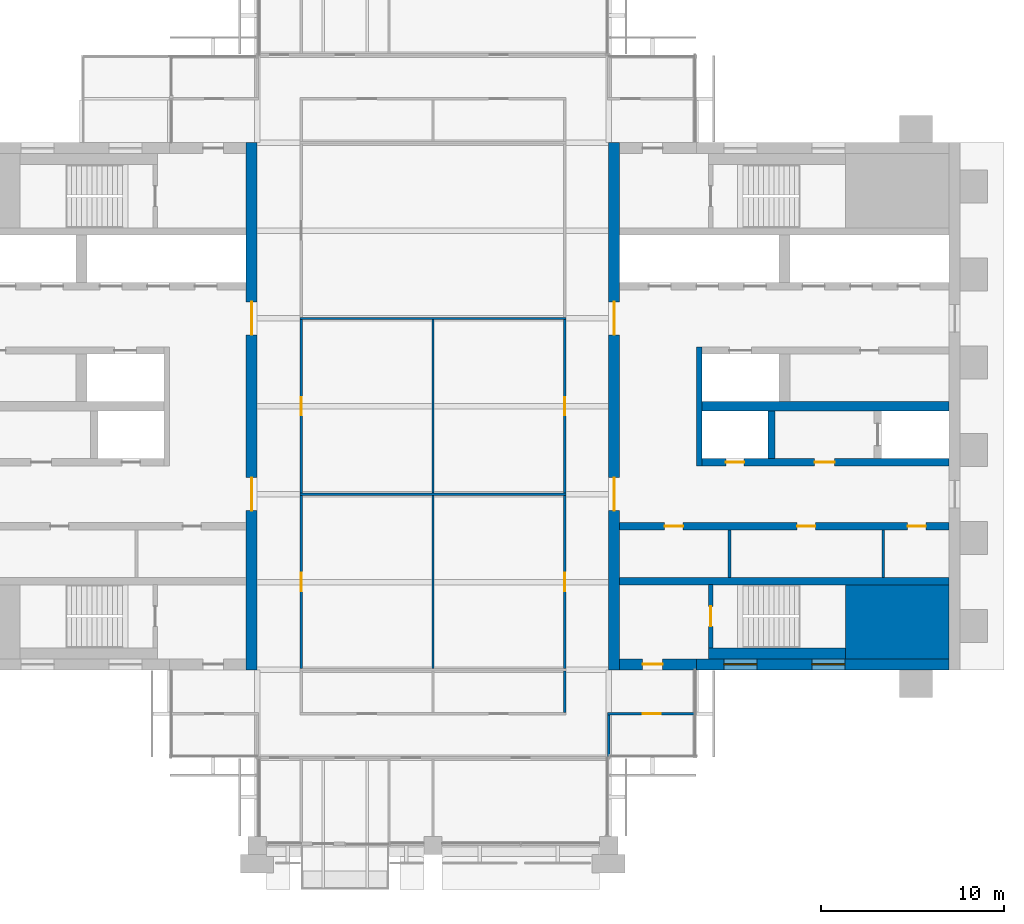
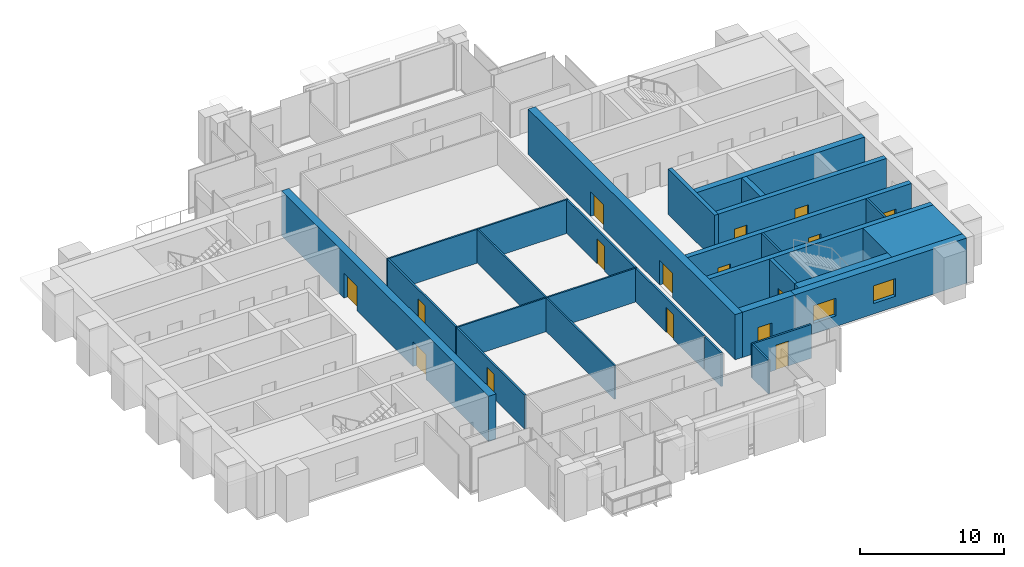
# One storey, part 9 of 14: 26 walls, 16 doors, 2 windows, 18 openings.
"""IFC4 building model written with IfcOpenShell, lengths in metres."""

import ifcopenshell
import ifcopenshell.guid

model = None  # the IFC model being written
_history = None  # IfcOwnerHistory: only IFC2X3 demands one
_inside = {}  # id of a spatial element -> (the spatial element, [elements in it])
_under = {}  # id of a project, library or spatial element -> (it, [spatial elements below it])
_declared = {}  # id of a project -> (the project, [libraries it declares])
_typed = {}  # id of a type object -> (the type object, [elements of that type])
_made_of = {}  # id of a material, layer set ... -> (it, [elements and type objects made of it])


def new_model(schema):
    """Start an empty IFC model of exactly this schema.

    Asked for "IFC4X3", IfcOpenShell would pick the latest addendum, in which some entities
    have other attributes; the version numbers below select the first issue.
    IFC2X3 requires an IfcOwnerHistory on every rooted entity: one is made here for all.
    """
    global model, _history
    if schema == "IFC4X3":
        model = ifcopenshell.file(schema_version=(4, 3, 0, 0))
    else:
        model = ifcopenshell.file(schema=schema)
    _inside.clear()
    _under.clear()
    _declared.clear()
    _typed.clear()
    _made_of.clear()
    _history = None
    if model.schema == "IFC2X3":
        org = make("IfcOrganization", Name="unknown")
        user = make(
            "IfcPersonAndOrganization",
            ThePerson=make("IfcPerson", FamilyName="unknown"),
            TheOrganization=org,
        )
        app = make(
            "IfcApplication",
            ApplicationDeveloper=org,
            Version="unknown",
            ApplicationFullName="unknown",
            ApplicationIdentifier="unknown",
        )
        _history = make(
            "IfcOwnerHistory",
            OwningUser=user,
            OwningApplication=app,
            ChangeAction="ADDED",
            CreationDate=0,
        )
    return model


def make(cls, **values):
    """One entity of the class cls with the attributes given. An attribute that is None is left unset."""
    return model.create_entity(
        cls, **{name: value for name, value in values.items() if value is not None}
    )


def rooted(cls, **values):
    """An entity with a GlobalId (a new one), such as an element, a storey or a relation."""
    return make(cls, GlobalId=ifcopenshell.guid.new(), OwnerHistory=_history, **values)


def si_unit(unit_type, name, prefix=None):
    """IfcSIUnit, for example si_unit("LENGTHUNIT", "METRE", prefix="MILLI")."""
    return make("IfcSIUnit", UnitType=unit_type, Prefix=prefix, Name=name)


def assignment(units):
    """IfcUnitAssignment: the units of a project."""
    return None if units is None else make("IfcUnitAssignment", Units=units)


def point(xyz):
    """IfcCartesianPoint."""
    return None if xyz is None else make("IfcCartesianPoint", Coordinates=xyz)


def direction(xyz):
    """IfcDirection."""
    return None if xyz is None else make("IfcDirection", DirectionRatios=xyz)


def frame(location, z_axis=None, x_axis=None):
    """IfcAxis2Placement3D, a coordinate frame: its origin and axes. An axis left out is left unset."""
    return make(
        "IfcAxis2Placement3D",
        Location=point(location),
        Axis=direction(z_axis),
        RefDirection=direction(x_axis),
    )


def frame_2d(location, x_axis=None):
    """IfcAxis2Placement2D, a coordinate frame in the plane: its origin and x axis."""
    return make(
        "IfcAxis2Placement2D", Location=point(location), RefDirection=direction(x_axis)
    )


def origin():
    """The frame at (0, 0, 0) with its axes left unset."""
    return frame((0.0, 0.0, 0.0))


def place(relative_to, where):
    """IfcLocalPlacement: puts the frame where relative to a parent placement (None: the world)."""
    return make(
        "IfcLocalPlacement", PlacementRelTo=relative_to, RelativePlacement=where
    )


def context(
    kind, dimensions, precision=None, world=None, true_north=None, identifier=None
):
    """IfcGeometricRepresentationContext, for example the 3D "Model" context."""
    return make(
        "IfcGeometricRepresentationContext",
        ContextIdentifier=identifier,
        ContextType=kind,
        CoordinateSpaceDimension=dimensions,
        Precision=precision,
        WorldCoordinateSystem=world,
        TrueNorth=true_north,
    )


def subcontext(parent, identifier, kind, view, scale=None):
    """IfcGeometricRepresentationSubContext, for example "Body" below "Model"."""
    return make(
        "IfcGeometricRepresentationSubContext",
        ContextIdentifier=identifier,
        ContextType=kind,
        ParentContext=parent,
        TargetScale=scale,
        TargetView=view,
    )


def project(units=None, contexts=None):
    """IfcProject with its units and contexts."""
    return rooted(
        "IfcProject",
        Name="project",
        RepresentationContexts=contexts,
        UnitsInContext=assignment(units),
    )


def spatial(cls, under=None, at=None, **own):
    """A site, building, storey or space (cls), placed at a placement, below another one or the project."""
    s = rooted(cls, ObjectPlacement=at, **own)
    if under is not None:
        _under.setdefault(under.id(), (under, []))[1].append(s)
    return s


def profile(cls, at=None, kind="AREA", **sizes):
    """A parametric profile (cls). Its sizes go by their IFC names, for example OverallWidth=200.0."""
    return make(cls, ProfileType=kind, Position=at, **sizes)


def rectangle(**sizes):
    """IfcRectangleProfileDef."""
    return profile("IfcRectangleProfileDef", **sizes)


def extrude(swept, where, along, depth):
    """IfcExtrudedAreaSolid: the profile swept, set in the frame where, extruded along a direction by depth."""
    return make(
        "IfcExtrudedAreaSolid",
        SweptArea=swept,
        Position=where,
        ExtrudedDirection=direction(along),
        Depth=depth,
    )


def shape(context_of_items, identifier, shape_type, items):
    """IfcShapeRepresentation: the items that make up one representation, for example the "Body"."""
    return make(
        "IfcShapeRepresentation",
        ContextOfItems=context_of_items,
        RepresentationIdentifier=identifier,
        RepresentationType=shape_type,
        Items=items,
    )


def material(Name=None, Category=None):
    """IfcMaterial."""
    return make("IfcMaterial", Name=Name, Category=Category)


def layer(
    of_material, thickness, ventilated=None, Name=None, Category=None, Priority=None
):
    """IfcMaterialLayer: one layer of a wall or slab, of a material (None: an air gap)."""
    return make(
        "IfcMaterialLayer",
        Material=of_material,
        LayerThickness=thickness,
        IsVentilated=ventilated,
        Name=Name,
        Category=Category,
        Priority=Priority,
    )


def layer_set(layers, Name=None):
    """IfcMaterialLayerSet."""
    return make("IfcMaterialLayerSet", MaterialLayers=layers, LayerSetName=Name)


def made_of(thing, what):
    """Note that an element or type object is made of a material, layer set ...; save() writes the relation."""
    if what is not None:
        _made_of.setdefault(what.id(), (what, []))[1].append(thing)
    return thing


def type_object(cls, material=None, **own):
    """A type object (cls), such as IfcWallType, which elements share."""
    return made_of(rooted(cls, **own), material)


def element(
    cls,
    number,
    at=None,
    inside=None,
    cuts=None,
    type_object=None,
    material=None,
    context=None,
    identifier="Body",
    shape_type=None,
    held_by="IfcProductDefinitionShape",
    body=None,
    shapes=None,
    **own,
):
    """One element of the class cls, such as IfcWall. Its Tag is "e" and its number.

    at: its placement. inside: the storey or other place that contains it. cuts: it is an
    opening in that element (IfcRelVoidsElement). A single representation is given by context,
    identifier, shape_type and body (its items); several are given by shapes. held_by: the class
    of the entity that holds the representations. save() writes the other relations.
    """
    e = rooted(cls, Tag="e%d" % number, ObjectPlacement=at, **own)
    if body is not None:
        shapes = [shape(context, identifier, shape_type, body)]
    if shapes is not None:
        e.Representation = make(held_by, Representations=shapes)
    if inside is not None:
        _inside.setdefault(inside.id(), (inside, []))[1].append(e)
    if cuts is not None:
        rooted(
            "IfcRelVoidsElement", RelatingBuildingElement=cuts, RelatedOpeningElement=e
        )
    if type_object is not None:
        _typed.setdefault(type_object.id(), (type_object, []))[1].append(e)
    return made_of(e, material)


def fill(opening, filler):
    """IfcRelFillsElement: the door or window that sits in an opening."""
    return rooted(
        "IfcRelFillsElement",
        RelatingOpeningElement=opening,
        RelatedBuildingElement=filler,
    )


def aggregate(whole, parts):
    """IfcRelAggregates: a whole, such as a stair, and the parts it consists of."""
    return rooted("IfcRelAggregates", RelatingObject=whole, RelatedObjects=parts)


def save(model, path):
    """Write the relations noted so far, then the file.

    IfcRelAggregates (storeys below a building ...), IfcRelContainedInSpatialStructure (elements
    in a storey), IfcRelDefinesByType, IfcRelAssociatesMaterial and IfcRelDeclares: one each for
    every whole, place, type object, material and project.
    """
    for whole, parts in _under.values():
        aggregate(whole, parts)
    for where, things in _inside.values():
        rooted(
            "IfcRelContainedInSpatialStructure",
            RelatedElements=things,
            RelatingStructure=where,
        )
    for kind, things in _typed.values():
        rooted("IfcRelDefinesByType", RelatedObjects=things, RelatingType=kind)
    for what, things in _made_of.values():
        rooted("IfcRelAssociatesMaterial", RelatedObjects=things, RelatingMaterial=what)
    for by, libraries in _declared.values():
        rooted("IfcRelDeclares", RelatingContext=by, RelatedDefinitions=libraries)
    model.write(path)


model = new_model("IFC4")

# Units and contexts
model_context = context("Model", 3, precision=1e-05, world=origin(), true_north=direction((0.0, 1.0)))
body_context = subcontext(model_context, "Body", "Model", "MODEL_VIEW")
ifc_project = project(units=[si_unit("LENGTHUNIT", "METRE"), si_unit("AREAUNIT", "SQUARE_METRE"), si_unit("VOLUMEUNIT", "CUBIC_METRE"), si_unit("PLANEANGLEUNIT", "RADIAN"), si_unit("MASSUNIT", "GRAM", prefix="KILO")], contexts=[model_context])

# Site, building, storey
site_placement = place(None, origin())
site = spatial("IfcSite", under=ifc_project, at=site_placement, CompositionType="ELEMENT")
building_placement = place(site_placement, origin())
building = spatial("IfcBuilding", under=site, at=building_placement, Name="Baori Bourse Tower", CompositionType="ELEMENT")
storey_placement = place(building_placement, frame((0.0, 0.0, 290.300048828125)))
storey = spatial("IfcBuildingStorey", under=building, at=storey_placement, Name="L63", CompositionType="ELEMENT", Elevation=290.300048828125)

# Walls
ifc_material_1 = material(Name="Concrete f'c 40 MPa", Category="concrete")
wall_type_1 = type_object("IfcWallType", Name="Core corner block f'c 40", PredefinedType="SHEAR", material=ifc_material_1)
wall_1_placement = place(storey_placement, frame((51.35009765625, 12.22509765625, 0.0), z_axis=(0.0, 0.0, 1.0), x_axis=(1.0, 0.0, 0.0)))
element("IfcWall", 1, at=wall_1_placement, inside=storey, type_object=wall_type_1, Name="Core wall E05", PredefinedType="SHEAR", context=body_context, shape_type="SweptSolid", body=[
    extrude(rectangle(XDim=5.64990234375, YDim=4.050048828125, at=frame_2d((2.824951171875, 0.0))), origin(), (0.0, 0.0, 1.0), 3.83984375),
])
ifc_material_2 = material(Name="Blockwork partition", Category="masonry")
ifc_layer_1 = layer(ifc_material_2, 0.14990234375)
ifc_layer_set_1 = layer_set([ifc_layer_1], Name="Core partition 150")
wall_type_2 = type_object("IfcWallType", Name="Core partition 150", PredefinedType="PARTITIONING", material=ifc_layer_set_1)
for number, where, z_axis, x_axis, name in (
    (2, (53.39990234375, 14.64990234375, 0.0), (0.0, 0.0, 1.0), (0.0, 1.0, 0.0), "Partition wall E09"),
    (3, (45.0, 14.64990234375, 0.0), (0.0, 0.0, 1.0), (0.0, 1.0, 0.0), "Partition wall E10"),
):
    element("IfcWall", number, at=place(storey_placement, frame(where, z_axis=z_axis, x_axis=x_axis)), inside=storey, type_object=wall_type_2, Name=name, PredefinedType="PARTITIONING", context=body_context, shape_type="SweptSolid", body=[
        extrude(rectangle(XDim=2.60009765625, YDim=0.14990234375, at=frame_2d((1.300048828125, 0.0))), origin(), (0.0, 0.0, 1.0), 3.83984375),
    ])

# Wall, openings, doors
ifc_material_3 = material(Name="Concrete f'c 40 MPa", Category="concrete")
ifc_layer_2 = layer(ifc_material_3, 0.60009765625)
ifc_layer_set_2 = layer_set([ifc_layer_2], Name="Core wall 600 f'c 40")
wall_type_3 = type_object("IfcWallType", Name="Core wall 600 f'c 40", PredefinedType="SHEAR", material=ifc_layer_set_2)
wall_2_placement = place(storey_placement, frame((18.89990234375, 38.39990234375, 0.0), z_axis=(0.0, 0.0, 1.0), x_axis=(0.0, -1.0, 0.0)))
wall_2 = element("IfcWall", 4, at=wall_2_placement, inside=storey, type_object=wall_type_3, Name="Core wall W04", PredefinedType="SHEAR", context=body_context, shape_type="SweptSolid", body=[
    extrude(rectangle(XDim=28.7998046875, YDim=0.60009765625, at=frame_2d((14.39990234375, 0.0))), origin(), (0.0, 0.0, 1.0), 3.83984375),
])
opening_1_placement = place(wall_2_placement, frame((18.300048828125, 0.0, 0.0)))
opening_1 = element("IfcOpeningElement", 5, at=opening_1_placement, cuts=wall_2, Name="Opening L63-D107", PredefinedType="OPENING", context=body_context, shape_type="SweptSolid", body=[
    extrude(rectangle(XDim=1.800048828125, YDim=2.10009765625, at=frame_2d((0.89990234375, 1.050048828125))), frame((0.0, 0.31005859375, 0.0), z_axis=(0.0, -1.0, 0.0), x_axis=(1.0, 0.0, 0.0)), (0.0, 0.0, 1.0), 0.6201171875),
])
opening_2_placement = place(wall_2_placement, frame((8.699951171875, 0.0, 0.0)))
opening_2 = element("IfcOpeningElement", 6, at=opening_2_placement, cuts=wall_2, Name="Opening L63-D108", PredefinedType="OPENING", context=body_context, shape_type="SweptSolid", body=[
    extrude(rectangle(XDim=1.800048828125, YDim=2.10009765625, at=frame_2d((0.89990234375, 1.050048828125))), frame((0.0, 0.31005859375, 0.0), z_axis=(0.0, -1.0, 0.0), x_axis=(1.0, 0.0, 0.0)), (0.0, 0.0, 1.0), 0.6201171875),
])
ifc_material_4 = material(Name="Painted steel door", Category="steel")
door_type_1 = type_object("IfcDoorType", Name="Core lobby door 1800", OperationType="DOUBLE_DOOR_SINGLE_SWING", PredefinedType="DOOR", material=ifc_material_4)
door_1_placement = place(opening_1_placement, origin())
door_1 = element("IfcDoor", 7, at=door_1_placement, inside=storey, type_object=door_type_1, Name="Lobby door W L63", OperationType="DOUBLE_DOOR_SINGLE_SWING", OverallHeight=2.10009765625, OverallWidth=1.800048828125, PredefinedType="DOOR", context=body_context, shape_type="SweptSolid", body=[
    extrude(rectangle(XDim=1.800048828125, YDim=2.10009765625, at=frame_2d((0.89990234375, 1.050048828125))), frame((0.0, 0.02490234375, 0.0), z_axis=(0.0, -1.0, 0.0), x_axis=(1.0, 0.0, 0.0)), (0.0, 0.0, 1.0), 0.050048828125),
])
fill(opening_1, door_1)
door_2_placement = place(opening_2_placement, origin())
door_2 = element("IfcDoor", 8, at=door_2_placement, inside=storey, type_object=door_type_1, Name="Lobby door W L63", OperationType="DOUBLE_DOOR_SINGLE_SWING", OverallHeight=2.10009765625, OverallWidth=1.800048828125, PredefinedType="DOOR", context=body_context, shape_type="SweptSolid", body=[
    extrude(rectangle(XDim=1.800048828125, YDim=2.10009765625, at=frame_2d((0.89990234375, 1.050048828125))), frame((0.0, 0.02490234375, 0.0), z_axis=(0.0, -1.0, 0.0), x_axis=(1.0, 0.0, 0.0)), (0.0, 0.0, 1.0), 0.050048828125),
])
fill(opening_2, door_2)

# Wall, openings, windows
wall_3_placement = place(storey_placement, frame((57.0, 9.89990234375, 0.0), z_axis=(0.0, 0.0, 1.0), x_axis=(-1.0, 0.0, 0.0)))
wall_3 = element("IfcWall", 9, at=wall_3_placement, inside=storey, type_object=wall_type_3, Name="Core wall E02", PredefinedType="SHEAR", context=body_context, shape_type="SweptSolid", body=[
    extrude(rectangle(XDim=13.800048828125, YDim=0.60009765625, at=frame_2d((6.89990234375, 0.0))), origin(), (0.0, 0.0, 1.0), 3.83984375),
])
opening_3_placement = place(wall_3_placement, frame((5.699951171875, 0.0, 0.89990234375)))
opening_3 = element("IfcOpeningElement", 10, at=opening_3_placement, cuts=wall_3, Name="Opening L63-KW203", PredefinedType="OPENING", context=body_context, shape_type="SweptSolid", body=[
    extrude(rectangle(XDim=1.800048828125, YDim=1.5, at=frame_2d((0.89990234375, 0.75))), frame((0.0, 0.31005859375, 0.0), z_axis=(0.0, -1.0, 0.0), x_axis=(1.0, 0.0, 0.0)), (0.0, 0.0, 1.0), 0.6201171875),
])
opening_4_placement = place(wall_3_placement, frame((10.5, 0.0, 0.89990234375)))
opening_4 = element("IfcOpeningElement", 11, at=opening_4_placement, cuts=wall_3, Name="Opening L63-KW204", PredefinedType="OPENING", context=body_context, shape_type="SweptSolid", body=[
    extrude(rectangle(XDim=1.800048828125, YDim=1.5, at=frame_2d((0.89990234375, 0.75))), frame((0.0, 0.31005859375, 0.0), z_axis=(0.0, -1.0, 0.0), x_axis=(1.0, 0.0, 0.0)), (0.0, 0.0, 1.0), 0.6201171875),
])
ifc_material_5 = material(Name="Pale anodised aluminium", Category="aluminium")
window_type = type_object("IfcWindowType", Name="Stair window 1800 x 1500", PartitioningType="SINGLE_PANEL", PredefinedType="WINDOW", material=ifc_material_5)
window_1_placement = place(opening_3_placement, origin())
window_1 = element("IfcWindow", 12, at=window_1_placement, inside=storey, type_object=window_type, Name="Stair window E L63 3", OverallHeight=1.5, OverallWidth=1.800048828125, PartitioningType="SINGLE_PANEL", PredefinedType="WINDOW", context=body_context, shape_type="SweptSolid", body=[
    extrude(rectangle(XDim=1.800048828125, YDim=1.5, at=frame_2d((0.89990234375, 0.75))), frame((0.0, 0.030029296875, 0.0), z_axis=(0.0, -1.0, 0.0), x_axis=(1.0, 0.0, 0.0)), (0.0, 0.0, 1.0), 0.06005859375),
])
fill(opening_3, window_1)
window_2_placement = place(opening_4_placement, origin())
window_2 = element("IfcWindow", 13, at=window_2_placement, inside=storey, type_object=window_type, Name="Stair window E L63 4", OverallHeight=1.5, OverallWidth=1.800048828125, PartitioningType="SINGLE_PANEL", PredefinedType="WINDOW", context=body_context, shape_type="SweptSolid", body=[
    extrude(rectangle(XDim=1.800048828125, YDim=1.5, at=frame_2d((0.89990234375, 0.75))), frame((0.0, 0.030029296875, 0.0), z_axis=(0.0, -1.0, 0.0), x_axis=(1.0, 0.0, 0.0)), (0.0, 0.0, 1.0), 0.06005859375),
])
fill(opening_4, window_2)

# Wall, opening, door
wall_4_placement = place(storey_placement, frame((43.199951171875, 9.89990234375, 0.0), z_axis=(0.0, 0.0, 1.0), x_axis=(-1.0, 0.0, 0.0)))
wall_4 = element("IfcWall", 14, at=wall_4_placement, inside=storey, type_object=wall_type_3, Name="Core wall E03", PredefinedType="SHEAR", context=body_context, shape_type="SweptSolid", body=[
    extrude(rectangle(XDim=4.199951171875, YDim=0.60009765625, at=frame_2d((2.10009765625, 0.0))), origin(), (0.0, 0.0, 1.0), 3.83984375),
])
opening_5_placement = place(wall_4_placement, frame((1.85009765625, 0.0, 0.0)))
opening_5 = element("IfcOpeningElement", 15, at=opening_5_placement, cuts=wall_4, Name="Opening L63-D202", PredefinedType="OPENING", context=body_context, shape_type="SweptSolid", body=[
    extrude(rectangle(XDim=1.10009765625, YDim=2.10009765625, at=frame_2d((0.550048828125, 1.050048828125))), frame((0.0, 0.31005859375, 0.0), z_axis=(0.0, -1.0, 0.0), x_axis=(1.0, 0.0, 0.0)), (0.0, 0.0, 1.0), 0.6201171875),
])
ifc_material_6 = material(Name="Painted steel door", Category="steel")
door_type_2 = type_object("IfcDoorType", Name="Stair door 1100", OperationType="SINGLE_SWING_LEFT", PredefinedType="DOOR", material=ifc_material_6)
door_3_placement = place(opening_5_placement, origin())
door_3 = element("IfcDoor", 16, at=door_3_placement, inside=storey, type_object=door_type_2, Name="Stair vestibule door A E L63", OperationType="SINGLE_SWING_LEFT", OverallHeight=2.10009765625, OverallWidth=1.10009765625, PredefinedType="DOOR", context=body_context, shape_type="SweptSolid", body=[
    extrude(rectangle(XDim=1.10009765625, YDim=2.10009765625, at=frame_2d((0.550048828125, 1.050048828125))), frame((0.0, 0.02490234375, 0.0), z_axis=(0.0, -1.0, 0.0), x_axis=(1.0, 0.0, 0.0)), (0.0, 0.0, 1.0), 0.050048828125),
])
fill(opening_5, door_3)

# Wall, openings, doors
wall_5_placement = place(storey_placement, frame((38.699951171875, 9.60009765625, 0.0), z_axis=(0.0, 0.0, 1.0), x_axis=(0.0, 1.0, 0.0)))
wall_5 = element("IfcWall", 17, at=wall_5_placement, inside=storey, type_object=wall_type_3, Name="Core wall E04", PredefinedType="SHEAR", context=body_context, shape_type="SweptSolid", body=[
    extrude(rectangle(XDim=28.7998046875, YDim=0.60009765625, at=frame_2d((14.39990234375, 0.0))), origin(), (0.0, 0.0, 1.0), 3.83984375),
])
opening_6_placement = place(wall_5_placement, frame((8.699951171875, 0.0, 0.0)))
opening_6 = element("IfcOpeningElement", 18, at=opening_6_placement, cuts=wall_5, Name="Opening L63-D207", PredefinedType="OPENING", context=body_context, shape_type="SweptSolid", body=[
    extrude(rectangle(XDim=1.800048828125, YDim=2.10009765625, at=frame_2d((0.89990234375, 1.050048828125))), frame((0.0, 0.31005859375, 0.0), z_axis=(0.0, -1.0, 0.0), x_axis=(1.0, 0.0, 0.0)), (0.0, 0.0, 1.0), 0.6201171875),
])
opening_7_placement = place(wall_5_placement, frame((18.300048828125, 0.0, 0.0)))
opening_7 = element("IfcOpeningElement", 19, at=opening_7_placement, cuts=wall_5, Name="Opening L63-D208", PredefinedType="OPENING", context=body_context, shape_type="SweptSolid", body=[
    extrude(rectangle(XDim=1.800048828125, YDim=2.10009765625, at=frame_2d((0.89990234375, 1.050048828125))), frame((0.0, 0.31005859375, 0.0), z_axis=(0.0, -1.0, 0.0), x_axis=(1.0, 0.0, 0.0)), (0.0, 0.0, 1.0), 0.6201171875),
])
door_4_placement = place(opening_6_placement, origin())
door_4 = element("IfcDoor", 20, at=door_4_placement, inside=storey, type_object=door_type_1, Name="Lobby door E L63", OperationType="DOUBLE_DOOR_SINGLE_SWING", OverallHeight=2.10009765625, OverallWidth=1.800048828125, PredefinedType="DOOR", context=body_context, shape_type="SweptSolid", body=[
    extrude(rectangle(XDim=1.800048828125, YDim=2.10009765625, at=frame_2d((0.89990234375, 1.050048828125))), frame((0.0, 0.02490234375, 0.0), z_axis=(0.0, -1.0, 0.0), x_axis=(1.0, 0.0, 0.0)), (0.0, 0.0, 1.0), 0.050048828125),
])
fill(opening_6, door_4)
door_5_placement = place(opening_7_placement, origin())
door_5 = element("IfcDoor", 21, at=door_5_placement, inside=storey, type_object=door_type_1, Name="Lobby door E L63", OperationType="DOUBLE_DOOR_SINGLE_SWING", OverallHeight=2.10009765625, OverallWidth=1.800048828125, PredefinedType="DOOR", context=body_context, shape_type="SweptSolid", body=[
    extrude(rectangle(XDim=1.800048828125, YDim=2.10009765625, at=frame_2d((0.89990234375, 1.050048828125))), frame((0.0, 0.02490234375, 0.0), z_axis=(0.0, -1.0, 0.0), x_axis=(1.0, 0.0, 0.0)), (0.0, 0.0, 1.0), 0.050048828125),
])
fill(opening_7, door_5)

# Wall, opening, door
ifc_material_7 = material(Name="Gypsum board partition")
ifc_layer_3 = layer(ifc_material_7, 0.14990234375)
ifc_layer_set_3 = layer_set([ifc_layer_3], Name="Corridor partition 150")
wall_type_4 = type_object("IfcWallType", Name="Corridor partition 150", PredefinedType="PARTITIONING", material=ifc_layer_set_3)
wall_6_placement = place(storey_placement, frame((38.324951171875, 7.199951171875, 0.0), z_axis=(0.0, 0.0, 1.0), x_axis=(1.0, 0.0, 0.0)))
wall_6 = element("IfcWall", 22, at=wall_6_placement, inside=storey, type_object=wall_type_4, Name="Partition", PredefinedType="PARTITIONING", context=body_context, shape_type="SweptSolid", body=[
    extrude(rectangle(XDim=4.775146484375, YDim=0.14990234375, at=frame_2d((2.3876953125, 0.0))), origin(), (0.0, 0.0, 1.0), 2.86962890625),
])
opening_8_placement = place(wall_6_placement, frame((1.925048828125, 0.0, 0.0)))
opening_8 = element("IfcOpeningElement", 23, at=opening_8_placement, cuts=wall_6, Name="Opening L63-D08", PredefinedType="OPENING", context=body_context, shape_type="SweptSolid", body=[
    extrude(rectangle(XDim=1.0, YDim=2.10009765625, at=frame_2d((0.5, 1.050048828125))), frame((0.0, 0.0849609375, 0.0), z_axis=(0.0, -1.0, 0.0), x_axis=(1.0, 0.0, 0.0)), (0.0, 0.0, 1.0), 0.169921875),
])
ifc_material_8 = material(Name="Timber door leaf", Category="wood")
door_type_3 = type_object("IfcDoorType", Name="Door 1000 x 2100", OperationType="SINGLE_SWING_LEFT", PredefinedType="DOOR", material=ifc_material_8)
door_6_placement = place(opening_8_placement, origin())
door_6 = element("IfcDoor", 24, at=door_6_placement, inside=storey, type_object=door_type_3, Name="Door", OperationType="SINGLE_SWING_RIGHT", OverallHeight=2.10009765625, OverallWidth=1.0, PredefinedType="DOOR", context=body_context, shape_type="SweptSolid", body=[
    extrude(rectangle(XDim=1.0, YDim=2.10009765625, at=frame_2d((0.5, 1.050048828125))), frame((0.0, 0.02490234375, 0.0), z_axis=(0.0, -1.0, 0.0), x_axis=(1.0, 0.0, 0.0)), (0.0, 0.0, 1.0), 0.050048828125),
])
fill(opening_8, door_6)

wall_7_placement = place(storey_placement, frame((21.60009765625, 9.66259765625, 0.0), z_axis=(0.0, 0.0, 1.0), x_axis=(0.0, 1.0, 0.0)))
wall_7 = element("IfcWall", 25, at=wall_7_placement, inside=storey, type_object=wall_type_4, Name="Partition", PredefinedType="PARTITIONING", context=body_context, shape_type="SweptSolid", body=[
    extrude(rectangle(XDim=9.474853515625, YDim=0.14990234375, at=frame_2d((4.7373046875, 0.0))), origin(), (0.0, 0.0, 1.0), 2.86962890625),
])
opening_9_placement = place(wall_7_placement, frame((4.237548828125, 0.0, 0.0)))
opening_9 = element("IfcOpeningElement", 26, at=opening_9_placement, cuts=wall_7, Name="Opening L63-D16", PredefinedType="OPENING", context=body_context, shape_type="SweptSolid", body=[
    extrude(rectangle(XDim=1.0, YDim=2.10009765625, at=frame_2d((0.5, 1.050048828125))), frame((0.0, 0.0849609375, 0.0), z_axis=(0.0, -1.0, 0.0), x_axis=(1.0, 0.0, 0.0)), (0.0, 0.0, 1.0), 0.169921875),
])
door_7_placement = place(opening_9_placement, origin())
door_7 = element("IfcDoor", 27, at=door_7_placement, inside=storey, type_object=door_type_3, Name="Door", OperationType="SINGLE_SWING_RIGHT", OverallHeight=2.10009765625, OverallWidth=1.0, PredefinedType="DOOR", context=body_context, shape_type="SweptSolid", body=[
    extrude(rectangle(XDim=1.0, YDim=2.10009765625, at=frame_2d((0.5, 1.050048828125))), frame((0.0, 0.02490234375, 0.0), z_axis=(0.0, -1.0, 0.0), x_axis=(1.0, 0.0, 0.0)), (0.0, 0.0, 1.0), 0.050048828125),
])
fill(opening_9, door_7)

wall_8_placement = place(storey_placement, frame((21.60009765625, 19.262451171875, 0.0), z_axis=(0.0, 0.0, 1.0), x_axis=(0.0, 1.0, 0.0)))
wall_8 = element("IfcWall", 28, at=wall_8_placement, inside=storey, type_object=wall_type_4, Name="Partition", PredefinedType="PARTITIONING", context=body_context, shape_type="SweptSolid", body=[
    extrude(rectangle(XDim=9.47509765625, YDim=0.14990234375, at=frame_2d((4.737548828125, 0.0))), origin(), (0.0, 0.0, 1.0), 2.86962890625),
])
opening_10_placement = place(wall_8_placement, frame((4.237548828125, 0.0, 0.0)))
opening_10 = element("IfcOpeningElement", 29, at=opening_10_placement, cuts=wall_8, Name="Opening L63-D17", PredefinedType="OPENING", context=body_context, shape_type="SweptSolid", body=[
    extrude(rectangle(XDim=1.0, YDim=2.10009765625, at=frame_2d((0.5, 1.050048828125))), frame((0.0, 0.0849609375, 0.0), z_axis=(0.0, -1.0, 0.0), x_axis=(1.0, 0.0, 0.0)), (0.0, 0.0, 1.0), 0.169921875),
])
door_8_placement = place(opening_10_placement, origin())
door_8 = element("IfcDoor", 30, at=door_8_placement, inside=storey, type_object=door_type_3, Name="Door", OperationType="SINGLE_SWING_LEFT", OverallHeight=2.10009765625, OverallWidth=1.0, PredefinedType="DOOR", context=body_context, shape_type="SweptSolid", body=[
    extrude(rectangle(XDim=1.0, YDim=2.10009765625, at=frame_2d((0.5, 1.050048828125))), frame((0.0, 0.02490234375, 0.0), z_axis=(0.0, -1.0, 0.0), x_axis=(1.0, 0.0, 0.0)), (0.0, 0.0, 1.0), 0.050048828125),
])
fill(opening_10, door_8)

# Wall
wall_9_placement = place(storey_placement, frame((36.0, 7.27490234375, 0.0), z_axis=(0.0, 0.0, 1.0), x_axis=(0.0, 1.0, 0.0)))
element("IfcWall", 31, at=wall_9_placement, inside=storey, type_object=wall_type_4, Name="Partition", PredefinedType="PARTITIONING", context=body_context, shape_type="SweptSolid", body=[
    extrude(rectangle(XDim=2.2626953125, YDim=0.14990234375, at=frame_2d((1.13134765625, 0.0))), origin(), (0.0, 0.0, 1.0), 2.86962890625),
])

# Wall, opening, door
wall_10_placement = place(storey_placement, frame((36.0, 9.66259765625, 0.0), z_axis=(0.0, 0.0, 1.0), x_axis=(0.0, 1.0, 0.0)))
wall_10 = element("IfcWall", 32, at=wall_10_placement, inside=storey, type_object=wall_type_4, Name="Partition", PredefinedType="PARTITIONING", context=body_context, shape_type="SweptSolid", body=[
    extrude(rectangle(XDim=9.474853515625, YDim=0.14990234375, at=frame_2d((4.7373046875, 0.0))), origin(), (0.0, 0.0, 1.0), 2.86962890625),
])
opening_11_placement = place(wall_10_placement, frame((4.237548828125, 0.0, 0.0)))
opening_11 = element("IfcOpeningElement", 33, at=opening_11_placement, cuts=wall_10, Name="Opening L63-D19", PredefinedType="OPENING", context=body_context, shape_type="SweptSolid", body=[
    extrude(rectangle(XDim=1.0, YDim=2.10009765625, at=frame_2d((0.5, 1.050048828125))), frame((0.0, 0.0849609375, 0.0), z_axis=(0.0, -1.0, 0.0), x_axis=(1.0, 0.0, 0.0)), (0.0, 0.0, 1.0), 0.169921875),
])
door_9_placement = place(opening_11_placement, origin())
door_9 = element("IfcDoor", 34, at=door_9_placement, inside=storey, type_object=door_type_3, Name="Door", OperationType="SINGLE_SWING_LEFT", OverallHeight=2.10009765625, OverallWidth=1.0, PredefinedType="DOOR", context=body_context, shape_type="SweptSolid", body=[
    extrude(rectangle(XDim=1.0, YDim=2.10009765625, at=frame_2d((0.5, 1.050048828125))), frame((0.0, 0.02490234375, 0.0), z_axis=(0.0, -1.0, 0.0), x_axis=(1.0, 0.0, 0.0)), (0.0, 0.0, 1.0), 0.050048828125),
])
fill(opening_11, door_9)

wall_11_placement = place(storey_placement, frame((36.0, 19.262451171875, 0.0), z_axis=(0.0, 0.0, 1.0), x_axis=(0.0, 1.0, 0.0)))
wall_11 = element("IfcWall", 35, at=wall_11_placement, inside=storey, type_object=wall_type_4, Name="Partition", PredefinedType="PARTITIONING", context=body_context, shape_type="SweptSolid", body=[
    extrude(rectangle(XDim=9.47509765625, YDim=0.14990234375, at=frame_2d((4.737548828125, 0.0))), origin(), (0.0, 0.0, 1.0), 2.86962890625),
])
opening_12_placement = place(wall_11_placement, frame((4.237548828125, 0.0, 0.0)))
opening_12 = element("IfcOpeningElement", 36, at=opening_12_placement, cuts=wall_11, Name="Opening L63-D20", PredefinedType="OPENING", context=body_context, shape_type="SweptSolid", body=[
    extrude(rectangle(XDim=1.0, YDim=2.10009765625, at=frame_2d((0.5, 1.050048828125))), frame((0.0, 0.0849609375, 0.0), z_axis=(0.0, -1.0, 0.0), x_axis=(1.0, 0.0, 0.0)), (0.0, 0.0, 1.0), 0.169921875),
])
door_10_placement = place(opening_12_placement, origin())
door_10 = element("IfcDoor", 37, at=door_10_placement, inside=storey, type_object=door_type_3, Name="Door", OperationType="SINGLE_SWING_RIGHT", OverallHeight=2.10009765625, OverallWidth=1.0, PredefinedType="DOOR", context=body_context, shape_type="SweptSolid", body=[
    extrude(rectangle(XDim=1.0, YDim=2.10009765625, at=frame_2d((0.5, 1.050048828125))), frame((0.0, 0.02490234375, 0.0), z_axis=(0.0, -1.0, 0.0), x_axis=(1.0, 0.0, 0.0)), (0.0, 0.0, 1.0), 0.050048828125),
])
fill(opening_12, door_10)

# Walls
wall_12_placement = place(storey_placement, frame((38.39990234375, 4.875, 0.0), z_axis=(0.0, 0.0, 1.0), x_axis=(0.0, 1.0, 0.0)))
element("IfcWall", 38, at=wall_12_placement, inside=storey, type_object=wall_type_4, Name="Partition", PredefinedType="PARTITIONING", context=body_context, shape_type="SweptSolid", body=[
    extrude(rectangle(XDim=2.25, YDim=0.14990234375, at=frame_2d((1.125, 0.0))), origin(), (0.0, 0.0, 1.0), 2.86962890625),
])
ifc_material_9 = material(Name="Gypsum board partition")
ifc_layer_4 = layer(ifc_material_9, 0.125)
ifc_layer_set_4 = layer_set([ifc_layer_4], Name="Partition 125")
wall_type_5 = type_object("IfcWallType", Name="Partition 125", PredefinedType="PARTITIONING", material=ifc_layer_set_4)
for number, where, z_axis, x_axis, name in (
    (39, (21.52490234375, 19.199951171875, 0.0), (0.0, 0.0, 1.0), (1.0, 0.0, 0.0), "Partition"),
    (40, (21.52490234375, 28.800048828125, 0.0), (0.0, 0.0, 1.0), (1.0, 0.0, 0.0), "Partition"),
):
    element("IfcWall", number, at=place(storey_placement, frame(where, z_axis=z_axis, x_axis=x_axis)), inside=storey, type_object=wall_type_5, Name=name, PredefinedType="PARTITIONING", context=body_context, shape_type="SweptSolid", body=[
        extrude(rectangle(XDim=14.550048828125, YDim=0.125, at=frame_2d((7.27490234375, 0.0))), origin(), (0.0, 0.0, 1.0), 2.86962890625),
    ])
wall_13_placement = place(storey_placement, frame((28.800048828125, 9.66259765625, 0.0), z_axis=(0.0, 0.0, 1.0), x_axis=(0.0, 1.0, 0.0)))
element("IfcWall", 41, at=wall_13_placement, inside=storey, type_object=wall_type_5, Name="Partition", PredefinedType="PARTITIONING", context=body_context, shape_type="SweptSolid", body=[
    extrude(rectangle(XDim=9.474853515625, YDim=0.125, at=frame_2d((4.7373046875, 0.0))), origin(), (0.0, 0.0, 1.0), 2.86962890625),
])
wall_14_placement = place(storey_placement, frame((28.800048828125, 19.262451171875, 0.0), z_axis=(0.0, 0.0, 1.0), x_axis=(0.0, 1.0, 0.0)))
element("IfcWall", 42, at=wall_14_placement, inside=storey, type_object=wall_type_5, Name="Partition", PredefinedType="PARTITIONING", context=body_context, shape_type="SweptSolid", body=[
    extrude(rectangle(XDim=9.47509765625, YDim=0.125, at=frame_2d((4.737548828125, 0.0))), origin(), (0.0, 0.0, 1.0), 2.86962890625),
])

# Wall, opening, door
ifc_material_10 = material(Name="Concrete f'c 40 MPa", Category="concrete")
ifc_layer_5 = layer(ifc_material_10, 0.25)
ifc_layer_set_5 = layer_set([ifc_layer_5], Name="Shaft wall 250 f'c 40")
wall_type_6 = type_object("IfcWallType", Name="Shaft wall 250 f'c 40", PredefinedType="SHEAR", material=ifc_layer_set_5)
wall_15_placement = place(storey_placement, frame((43.97509765625, 10.800048828125, 0.0), z_axis=(0.0, 0.0, 1.0), x_axis=(0.0, 1.0, 0.0)))
wall_15 = element("IfcWall", 43, at=wall_15_placement, inside=storey, type_object=wall_type_6, Name="Core wall E07", PredefinedType="SHEAR", context=body_context, shape_type="SweptSolid", body=[
    extrude(rectangle(XDim=3.449951171875, YDim=0.25, at=frame_2d((1.72509765625, 0.0))), origin(), (0.0, 0.0, 1.0), 3.83984375),
])
opening_13_placement = place(wall_15_placement, frame((1.175048828125, 0.0, 0.0)))
opening_13 = element("IfcOpeningElement", 44, at=opening_13_placement, cuts=wall_15, Name="Opening L63-D201", PredefinedType="OPENING", context=body_context, shape_type="SweptSolid", body=[
    extrude(rectangle(XDim=1.10009765625, YDim=2.10009765625, at=frame_2d((0.550048828125, 1.050048828125))), frame((0.0, 0.135009765625, 0.0), z_axis=(0.0, -1.0, 0.0), x_axis=(1.0, 0.0, 0.0)), (0.0, 0.0, 1.0), 0.27001953125),
])
door_11_placement = place(opening_13_placement, origin())
door_11 = element("IfcDoor", 45, at=door_11_placement, inside=storey, type_object=door_type_2, Name="Stair door A E L63", OperationType="SINGLE_SWING_LEFT", OverallHeight=2.10009765625, OverallWidth=1.10009765625, PredefinedType="DOOR", context=body_context, shape_type="SweptSolid", body=[
    extrude(rectangle(XDim=1.10009765625, YDim=2.10009765625, at=frame_2d((0.550048828125, 1.050048828125))), frame((0.0, 0.02490234375, 0.0), z_axis=(0.0, -1.0, 0.0), x_axis=(1.0, 0.0, 0.0)), (0.0, 0.0, 1.0), 0.050048828125),
])
fill(opening_13, door_11)

# Walls
ifc_material_11 = material(Name="Concrete f'c 40 MPa", Category="concrete")
ifc_layer_6 = layer(ifc_material_11, 0.300048828125)
ifc_layer_set_6 = layer_set([ifc_layer_6], Name="Shaft wall 300 f'c 40")
wall_type_7 = type_object("IfcWallType", Name="Shaft wall 300 f'c 40", PredefinedType="SHEAR", material=ifc_layer_set_6)
wall_16_placement = place(storey_placement, frame((43.35009765625, 20.75, 0.0), z_axis=(0.0, 0.0, 1.0), x_axis=(0.0, 1.0, 0.0)))
element("IfcWall", 46, at=wall_16_placement, inside=storey, type_object=wall_type_7, Name="Core wall E13", PredefinedType="SHEAR", context=body_context, shape_type="SweptSolid", body=[
    extrude(rectangle(XDim=6.5, YDim=0.300048828125, at=frame_2d((3.25, 0.0))), origin(), (0.0, 0.0, 1.0), 3.83984375),
])
ifc_material_12 = material(Name="Concrete f'c 40 MPa", Category="concrete")
ifc_layer_7 = layer(ifc_material_12, 0.39990234375)
ifc_layer_set_7 = layer_set([ifc_layer_7], Name="Shaft wall 400 f'c 40")
wall_type_8 = type_object("IfcWallType", Name="Shaft wall 400 f'c 40", PredefinedType="SHEAR", material=ifc_layer_set_7)
wall_17_placement = place(storey_placement, frame((39.0, 14.449951171875, 0.0), z_axis=(0.0, 0.0, 1.0), x_axis=(1.0, 0.0, 0.0)))
element("IfcWall", 47, at=wall_17_placement, inside=storey, type_object=wall_type_8, Name="Core wall E08", PredefinedType="SHEAR", context=body_context, shape_type="SweptSolid", body=[
    extrude(rectangle(XDim=18.0, YDim=0.39990234375, at=frame_2d((9.0, 0.0))), origin(), (0.0, 0.0, 1.0), 3.83984375),
])

# Wall, openings, doors
wall_18_placement = place(storey_placement, frame((39.0, 17.449951171875, 0.0), z_axis=(0.0, 0.0, 1.0), x_axis=(1.0, 0.0, 0.0)))
wall_18 = element("IfcWall", 48, at=wall_18_placement, inside=storey, type_object=wall_type_8, Name="Core wall E11", PredefinedType="SHEAR", context=body_context, shape_type="SweptSolid", body=[
    extrude(rectangle(XDim=18.0, YDim=0.39990234375, at=frame_2d((9.0, 0.0))), origin(), (0.0, 0.0, 1.0), 3.83984375),
])
opening_14_placement = place(wall_18_placement, frame((15.737548828125, 0.0, 0.0)))
opening_14 = element("IfcOpeningElement", 49, at=opening_14_placement, cuts=wall_18, Name="Opening L63-D209", PredefinedType="OPENING", context=body_context, shape_type="SweptSolid", body=[
    extrude(rectangle(XDim=1.0, YDim=2.10009765625, at=frame_2d((0.5, 1.050048828125))), frame((0.0, 0.2099609375, 0.0), z_axis=(0.0, -1.0, 0.0), x_axis=(1.0, 0.0, 0.0)), (0.0, 0.0, 1.0), 0.419921875),
])
opening_15_placement = place(wall_18_placement, frame((9.699951171875, 0.0, 0.0)))
opening_15 = element("IfcOpeningElement", 50, at=opening_15_placement, cuts=wall_18, Name="Opening L63-D210", PredefinedType="OPENING", context=body_context, shape_type="SweptSolid", body=[
    extrude(rectangle(XDim=1.0, YDim=2.10009765625, at=frame_2d((0.5, 1.050048828125))), frame((0.0, 0.2099609375, 0.0), z_axis=(0.0, -1.0, 0.0), x_axis=(1.0, 0.0, 0.0)), (0.0, 0.0, 1.0), 0.419921875),
])
opening_16_placement = place(wall_18_placement, frame((2.46240234375, 0.0, 0.0)))
opening_16 = element("IfcOpeningElement", 51, at=opening_16_placement, cuts=wall_18, Name="Opening L63-D211", PredefinedType="OPENING", context=body_context, shape_type="SweptSolid", body=[
    extrude(rectangle(XDim=1.0, YDim=2.10009765625, at=frame_2d((0.5, 1.050048828125))), frame((0.0, 0.2099609375, 0.0), z_axis=(0.0, -1.0, 0.0), x_axis=(1.0, 0.0, 0.0)), (0.0, 0.0, 1.0), 0.419921875),
])
ifc_material_13 = material(Name="Painted steel door", Category="steel")
door_type_4 = type_object("IfcDoorType", Name="Core door 1000", OperationType="SINGLE_SWING_LEFT", PredefinedType="DOOR", material=ifc_material_13)
door_12_placement = place(opening_14_placement, origin())
door_12 = element("IfcDoor", 52, at=door_12_placement, inside=storey, type_object=door_type_4, Name="Accessible Wc door E L63", OperationType="SINGLE_SWING_LEFT", OverallHeight=2.10009765625, OverallWidth=1.0, PredefinedType="DOOR", context=body_context, shape_type="SweptSolid", body=[
    extrude(rectangle(XDim=1.0, YDim=2.10009765625, at=frame_2d((0.5, 1.050048828125))), frame((0.0, 0.02490234375, 0.0), z_axis=(0.0, -1.0, 0.0), x_axis=(1.0, 0.0, 0.0)), (0.0, 0.0, 1.0), 0.050048828125),
])
fill(opening_14, door_12)
door_13_placement = place(opening_15_placement, origin())
door_13 = element("IfcDoor", 53, at=door_13_placement, inside=storey, type_object=door_type_4, Name="Men'S Wc door E L63", OperationType="SINGLE_SWING_LEFT", OverallHeight=2.10009765625, OverallWidth=1.0, PredefinedType="DOOR", context=body_context, shape_type="SweptSolid", body=[
    extrude(rectangle(XDim=1.0, YDim=2.10009765625, at=frame_2d((0.5, 1.050048828125))), frame((0.0, 0.02490234375, 0.0), z_axis=(0.0, -1.0, 0.0), x_axis=(1.0, 0.0, 0.0)), (0.0, 0.0, 1.0), 0.050048828125),
])
fill(opening_15, door_13)
door_14_placement = place(opening_16_placement, origin())
door_14 = element("IfcDoor", 54, at=door_14_placement, inside=storey, type_object=door_type_4, Name="Women'S Wc door E L63", OperationType="SINGLE_SWING_LEFT", OverallHeight=2.10009765625, OverallWidth=1.0, PredefinedType="DOOR", context=body_context, shape_type="SweptSolid", body=[
    extrude(rectangle(XDim=1.0, YDim=2.10009765625, at=frame_2d((0.5, 1.050048828125))), frame((0.0, 0.02490234375, 0.0), z_axis=(0.0, -1.0, 0.0), x_axis=(1.0, 0.0, 0.0)), (0.0, 0.0, 1.0), 0.050048828125),
])
fill(opening_16, door_14)

wall_19_placement = place(storey_placement, frame((43.5, 20.949951171875, 0.0), z_axis=(0.0, 0.0, 1.0), x_axis=(1.0, 0.0, 0.0)))
wall_19 = element("IfcWall", 55, at=wall_19_placement, inside=storey, type_object=wall_type_8, Name="Core wall E12", PredefinedType="SHEAR", context=body_context, shape_type="SweptSolid", body=[
    extrude(rectangle(XDim=13.5, YDim=0.39990234375, at=frame_2d((6.75, 0.0))), origin(), (0.0, 0.0, 1.0), 3.83984375),
])
opening_17_placement = place(wall_19_placement, frame((6.14990234375, 0.0, 0.0)))
opening_17 = element("IfcOpeningElement", 56, at=opening_17_placement, cuts=wall_19, Name="Opening L63-D205", PredefinedType="OPENING", context=body_context, shape_type="SweptSolid", body=[
    extrude(rectangle(XDim=1.10009765625, YDim=2.10009765625, at=frame_2d((0.550048828125, 1.050048828125))), frame((0.0, 0.2099609375, 0.0), z_axis=(0.0, -1.0, 0.0), x_axis=(1.0, 0.0, 0.0)), (0.0, 0.0, 1.0), 0.419921875),
])
opening_18_placement = place(wall_19_placement, frame((1.300048828125, 0.0, 0.0)))
opening_18 = element("IfcOpeningElement", 57, at=opening_18_placement, cuts=wall_19, Name="Opening L63-D206", PredefinedType="OPENING", context=body_context, shape_type="SweptSolid", body=[
    extrude(rectangle(XDim=1.0, YDim=2.10009765625, at=frame_2d((0.5, 1.050048828125))), frame((0.0, 0.2099609375, 0.0), z_axis=(0.0, -1.0, 0.0), x_axis=(1.0, 0.0, 0.0)), (0.0, 0.0, 1.0), 0.419921875),
])
ifc_material_14 = material(Name="Painted steel door", Category="steel")
door_type_5 = type_object("IfcDoorType", Name="Lobby door 1100", OperationType="SINGLE_SWING_LEFT", PredefinedType="DOOR", material=ifc_material_14)
door_15_placement = place(opening_17_placement, origin())
door_15 = element("IfcDoor", 58, at=door_15_placement, inside=storey, type_object=door_type_5, Name="Firefighting lobby door E L63", OperationType="SINGLE_SWING_LEFT", OverallHeight=2.10009765625, OverallWidth=1.10009765625, PredefinedType="DOOR", context=body_context, shape_type="SweptSolid", body=[
    extrude(rectangle(XDim=1.10009765625, YDim=2.10009765625, at=frame_2d((0.550048828125, 1.050048828125))), frame((0.0, 0.02490234375, 0.0), z_axis=(0.0, -1.0, 0.0), x_axis=(1.0, 0.0, 0.0)), (0.0, 0.0, 1.0), 0.050048828125),
])
fill(opening_17, door_15)
ifc_material_15 = material(Name="Painted steel door", Category="steel")
door_type_6 = type_object("IfcDoorType", Name="Shaft door 1000", OperationType="SINGLE_SWING_LEFT", PredefinedType="DOOR", material=ifc_material_15)
door_16_placement = place(opening_18_placement, origin())
door_16 = element("IfcDoor", 59, at=door_16_placement, inside=storey, type_object=door_type_6, Name="Riser room door E L63", OperationType="SINGLE_SWING_LEFT", OverallHeight=2.10009765625, OverallWidth=1.0, PredefinedType="DOOR", context=body_context, shape_type="SweptSolid", body=[
    extrude(rectangle(XDim=1.0, YDim=2.10009765625, at=frame_2d((0.5, 1.050048828125))), frame((0.0, 0.02490234375, 0.0), z_axis=(0.0, -1.0, 0.0), x_axis=(1.0, 0.0, 0.0)), (0.0, 0.0, 1.0), 0.050048828125),
])
fill(opening_18, door_16)

# Walls
wall_20_placement = place(storey_placement, frame((47.300048828125, 21.14990234375, 0.0), z_axis=(0.0, 0.0, 1.0), x_axis=(0.0, 1.0, 0.0)))
element("IfcWall", 60, at=wall_20_placement, inside=storey, type_object=wall_type_8, Name="Core wall E15", PredefinedType="SHEAR", context=body_context, shape_type="SweptSolid", body=[
    extrude(rectangle(XDim=2.60009765625, YDim=0.39990234375, at=frame_2d((1.300048828125, 0.0))), origin(), (0.0, 0.0, 1.0), 3.83984375),
])
ifc_material_16 = material(Name="Concrete f'c 40 MPa", Category="concrete")
ifc_layer_8 = layer(ifc_material_16, 0.5)
ifc_layer_set_8 = layer_set([ifc_layer_8], Name="Shaft wall 500 f'c 40")
wall_type_9 = type_object("IfcWallType", Name="Shaft wall 500 f'c 40", PredefinedType="SHEAR", material=ifc_layer_set_8)
wall_21_placement = place(storey_placement, frame((43.5, 24.0, 0.0), z_axis=(0.0, 0.0, 1.0), x_axis=(1.0, 0.0, 0.0)))
element("IfcWall", 61, at=wall_21_placement, inside=storey, type_object=wall_type_9, Name="Core wall E16", PredefinedType="SHEAR", context=body_context, shape_type="SweptSolid", body=[
    extrude(rectangle(XDim=13.5, YDim=0.5, at=frame_2d((6.75, 0.0))), origin(), (0.0, 0.0, 1.0), 3.83984375),
])
ifc_material_17 = material(Name="Concrete f'c 40 MPa", Category="concrete")
ifc_layer_9 = layer(ifc_material_17, 0.60009765625)
ifc_layer_set_9 = layer_set([ifc_layer_9], Name="Shaft wall 600 f'c 40")
wall_type_10 = type_object("IfcWallType", Name="Shaft wall 600 f'c 40", PredefinedType="SHEAR", material=ifc_layer_set_9)
wall_22_placement = place(storey_placement, frame((43.85009765625, 10.5, 0.0), z_axis=(0.0, 0.0, 1.0), x_axis=(1.0, 0.0, 0.0)))
element("IfcWall", 62, at=wall_22_placement, inside=storey, type_object=wall_type_10, Name="Core wall E06", PredefinedType="SHEAR", context=body_context, shape_type="SweptSolid", body=[
    extrude(rectangle(XDim=7.5, YDim=0.60009765625, at=frame_2d((3.75, 0.0))), origin(), (0.0, 0.0, 1.0), 3.83984375),
])

save(model, "model.ifc")
